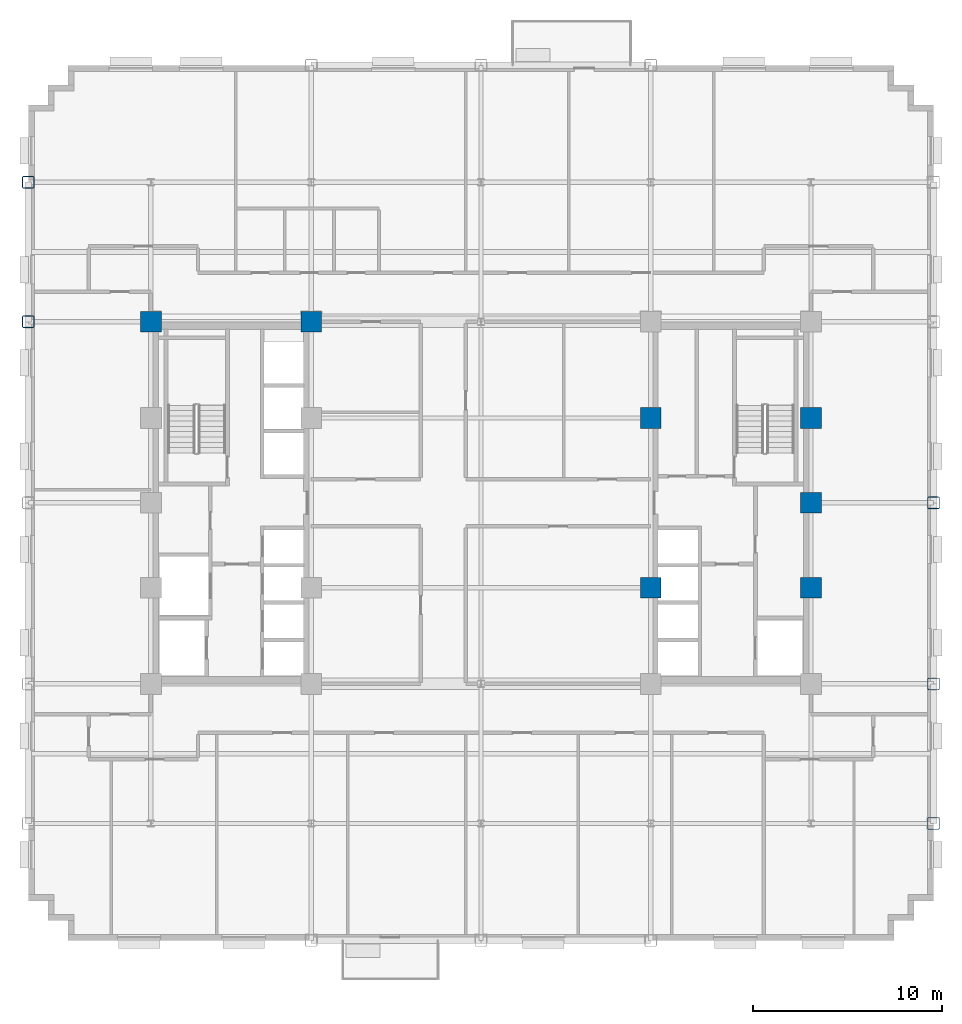
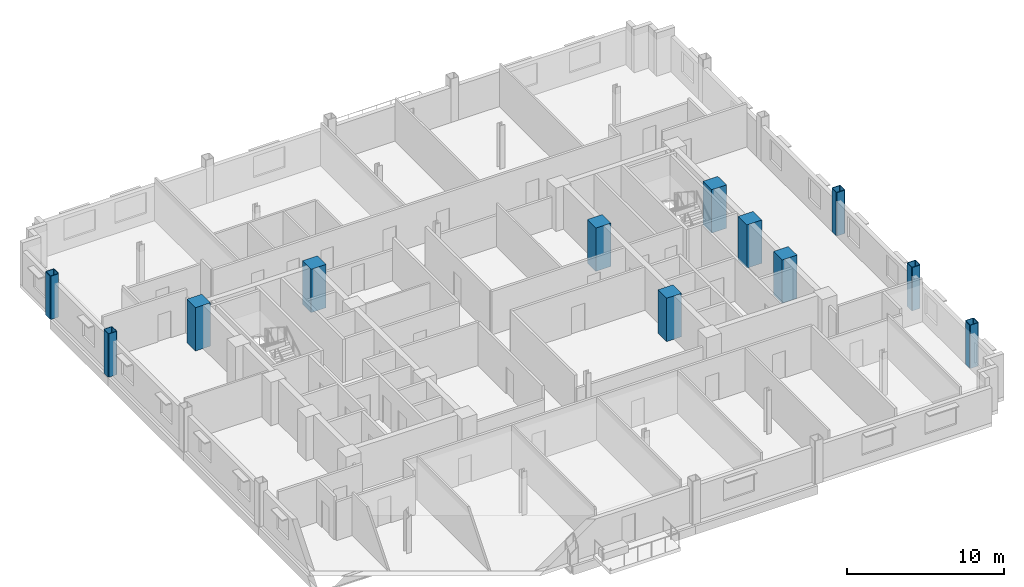
# One storey, part 2 of 14: 12 columns.
"""IFC4 building model written with IfcOpenShell, lengths in metres."""

from ifc_helpers import new_model, si_unit, direction, frame, origin, origin_2d, place, context, subcontext, project, spatial, rectangle, hollow_rectangle, extrude, material, material_profile, profile_set, type_object, element, save


model = new_model("IFC4")

# Units and contexts
model_context = context("Model", 3, precision=1e-05, world=origin(), true_north=direction((0.0, 1.0)))
body_context = subcontext(model_context, "Body", "Model", "MODEL_VIEW")
ifc_project = project(units=[si_unit("LENGTHUNIT", "METRE"), si_unit("AREAUNIT", "SQUARE_METRE"), si_unit("VOLUMEUNIT", "CUBIC_METRE"), si_unit("PLANEANGLEUNIT", "RADIAN"), si_unit("MASSUNIT", "GRAM", prefix="KILO")], contexts=[model_context])

# Site, building, storey
site_placement = place(None, origin())
site = spatial("IfcSite", under=ifc_project, at=site_placement, CompositionType="ELEMENT")
building_placement = place(site_placement, origin())
building = spatial("IfcBuilding", under=site, at=building_placement, Name="Nuvemarco Arch Tower", CompositionType="ELEMENT")
storey_placement = place(building_placement, frame((0.0, 0.0, 105.60009765625)))
storey = spatial("IfcBuildingStorey", under=building, at=storey_placement, Name="L27", CompositionType="ELEMENT", Elevation=105.60009765625)

# Columns
ifc_material_1 = material(Name="Concrete C60/75", Category="concrete")
ifc_material_profile_1 = material_profile(ifc_material_1, rectangle(XDim=1.10009765625, YDim=1.10009765625, at=origin_2d()), Name="RC-COL-1100x1100")
ifc_profile_set_1 = profile_set([ifc_material_profile_1], Name="Concrete C60/75")
column_type_1 = type_object("IfcColumnType", Name="COL-CORE-1100", PredefinedType="COLUMN", material=ifc_profile_set_1)
for number, where, z_axis, x_axis, name in (
    (1, (-17.5, 9.60009765625, 0.0), (0.0, 0.0, 1.0), (1.0, 0.0, 0.0), "L27 column CC_-17.5_+9.6"),
    (2, (-9.0, 9.60009765625, 0.0), (0.0, 0.0, 1.0), (1.0, 0.0, 0.0), "L27 column CC_-9.0_+9.6"),
    (3, (9.0, -4.5, 0.0), (0.0, 0.0, 1.0), (1.0, 0.0, 0.0), "L27 column CC_+9.0_-4.5"),
    (4, (9.0, 4.5, 0.0), (0.0, 0.0, 1.0), (1.0, 0.0, 0.0), "L27 column CC_+9.0_+4.5"),
    (5, (17.5, -4.5, 0.0), (0.0, 0.0, 1.0), (1.0, 0.0, 0.0), "L27 column CC_+17.5_-4.5"),
    (6, (17.5, 4.5, 0.0), (0.0, 0.0, 1.0), (1.0, 0.0, 0.0), "L27 column CC_+17.5_+4.5"),
    (7, (17.5, 0.0, 0.0), (0.0, 0.0, 1.0), (1.0, 0.0, 0.0), "L27 column CC_+17.5_+0.0"),
):
    element("IfcColumn", number, at=place(storey_placement, frame(where, z_axis=z_axis, x_axis=x_axis)), inside=storey, type_object=column_type_1, Name=name, PredefinedType="COLUMN", context=body_context, shape_type="SweptSolid", body=[
        extrude(rectangle(XDim=1.10009765625, YDim=1.10009765625, at=origin_2d()), origin(), (0.0, 0.0, 1.0), 3.369873046875),
    ])
ifc_material_2 = material(Name="Steel S355", Category="steel")
ifc_material_profile_2 = material_profile(ifc_material_2, hollow_rectangle(XDim=0.64990234375, YDim=0.64990234375, WallThickness=0.0400390625, InnerFilletRadius=0.0400390625, OuterFilletRadius=0.080078125, at=origin_2d()), Name="SHS650x650x40")
ifc_profile_set_2 = profile_set([ifc_material_profile_2], Name="Steel S355")
column_type_2 = type_object("IfcColumnType", Name="COL-EXO-650", PredefinedType="COLUMN", material=ifc_profile_set_2)
for number, where, z_axis, x_axis, name in (
    (8, (-24.0, 9.60009765625, 0.0), (0.0, 0.0, 1.0), (1.0, 0.0, 0.0), "L27 column CX_-24.0_+9.6"),
    (9, (-24.0, 17.0, 0.0), (0.0, 0.0, 1.0), (1.0, 0.0, 0.0), "L27 column CX_-24.0_+17.0"),
    (10, (24.0, -17.0, 0.0), (0.0, 0.0, 1.0), (1.0, 0.0, 0.0), "L27 column CX_+24.0_-17.0"),
    (11, (24.0, -9.60009765625, 0.0), (0.0, 0.0, 1.0), (1.0, 0.0, 0.0), "L27 column CX_+24.0_-9.6"),
    (12, (24.0, 0.0, 0.0), (0.0, 0.0, 1.0), (1.0, 0.0, 0.0), "L27 column CX_+24.0_+0.0"),
):
    element("IfcColumn", number, at=place(storey_placement, frame(where, z_axis=z_axis, x_axis=x_axis)), inside=storey, type_object=column_type_2, Name=name, PredefinedType="COLUMN", context=body_context, shape_type="SweptSolid", body=[
        extrude(hollow_rectangle(XDim=0.64990234375, YDim=0.64990234375, WallThickness=0.0400390625, InnerFilletRadius=0.0400390625, OuterFilletRadius=0.080078125, at=origin_2d()), origin(), (0.0, 0.0, 1.0), 3.369873046875),
    ])

save(model, "model.ifc")
